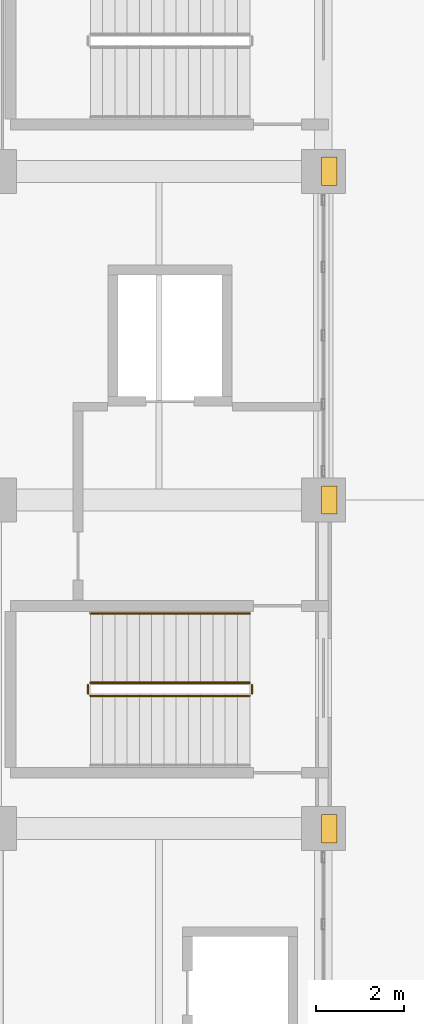
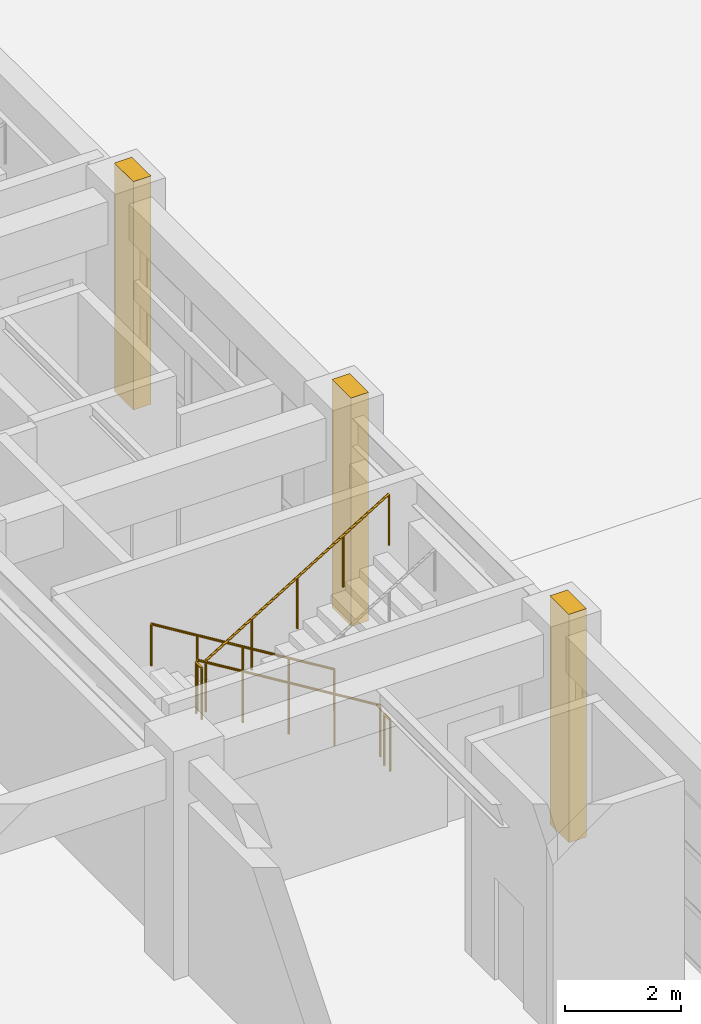
# One storey, part 111 of 122: 5 railings, 3 coverings.
"""IFC4 building model written with IfcOpenShell, lengths in metres."""

from ifc_helpers import new_model, si_unit, direction, frame, origin, origin_2d, place, context, subcontext, project, spatial, rectangle, circle, extrude, material, layer, layer_set, type_object, element, save


model = new_model("IFC4")

# Units and contexts
model_context = context("Model", 3, precision=1e-05, world=origin(), true_north=direction((0.0, 1.0)))
body_context = subcontext(model_context, "Body", "Model", "MODEL_VIEW")
ifc_project = project(units=[si_unit("LENGTHUNIT", "METRE"), si_unit("AREAUNIT", "SQUARE_METRE"), si_unit("VOLUMEUNIT", "CUBIC_METRE"), si_unit("PLANEANGLEUNIT", "RADIAN"), si_unit("MASSUNIT", "GRAM", prefix="KILO")], contexts=[model_context])

# Site, building, storey
site_placement = place(None, origin())
site = spatial("IfcSite", under=ifc_project, at=site_placement, CompositionType="ELEMENT")
building_placement = place(site_placement, origin())
building = spatial("IfcBuilding", under=site, at=building_placement, Name="Qasida Concert Hall", CompositionType="ELEMENT")
storey_placement = place(building_placement, origin())
storey = spatial("IfcBuildingStorey", under=building, at=storey_placement, Name="L00", CompositionType="ELEMENT", Elevation=0.0)

# Coverings
ifc_material_1 = material(Name="Projecting fluted Lebanese limestone Art Deco pilaster", Category="masonry")
ifc_layer_1 = layer(ifc_material_1, 0.35009765625, Name="Projecting fluted Lebanese limestone Art Deco pilaster")
ifc_layer_set_1 = layer_set([ifc_layer_1], Name="Projecting fluted Lebanese limestone Art Deco pilaster")
covering_type = type_object("IfcCoveringType", Name="CV-PIL-650", PredefinedType="CLADDING", material=ifc_layer_set_1)
for number, where, z_axis, x_axis, name in (
    (1, (105.135009765625, 45.0, 0.0), (0.0, 0.0, 1.0), (1.0, 0.0, 0.0), "L00 fluted limestone pilaster 0036"),
    (2, (105.135009765625, 52.5, 0.0), (0.0, 0.0, 1.0), (1.0, 0.0, 0.0), "L00 fluted limestone pilaster 0050"),
    (3, (105.135009765625, 60.0, 0.0), (0.0, 0.0, 1.0), (1.0, 0.0, 0.0), "L00 fluted limestone pilaster 0064"),
):
    element("IfcCovering", number, at=place(storey_placement, frame(where, z_axis=z_axis, x_axis=x_axis)), inside=storey, type_object=covering_type, Name=name, PredefinedType="CLADDING", context=body_context, shape_type="SweptSolid", body=[
        extrude(rectangle(XDim=0.35009765625, YDim=0.64990234375, at=origin_2d()), origin(), (0.0, 0.0, 1.0), 4.800048828125),
    ])

# Railings
ifc_material_2 = material(Name="Patinated architectural bronze and laminated glass infill", Category="glass")
ifc_layer_2 = layer(ifc_material_2, 0.080078125, Name="Patinated architectural bronze and laminated glass infill")
ifc_layer_set_2 = layer_set([ifc_layer_2], Name="Patinated architectural bronze and laminated glass infill")
railing_type_1 = type_object("IfcRailingType", Name="RL-GRD-1100", PredefinedType="GUARDRAIL", material=ifc_layer_set_2)
railing_1_placement = place(storey_placement, frame((103.320068359375, 48.330078125, 0.17138671875)))
element("IfcRailing", 4, at=railing_1_placement, inside=storey, type_object=railing_type_1, Name="L00 ST-02 stair guard 1", PredefinedType="GUARDRAIL", context=body_context, shape_type="SweptSolid", body=[
    extrude(circle(Radius=0.02392578125, at=origin_2d()), frame((0.0, 0.0, 1.076171875), z_axis=(-0.852865859571, 0.0, 0.52213008492), x_axis=(0.0, -1.0, 0.0)), (0.0, 0.0, 1.0), 4.26806640625),
    extrude(circle(Radius=0.02099609375, at=origin_2d()), origin(), (0.0, 0.0, 1.0), 1.052001953125),
    extrude(circle(Radius=0.02099609375, at=origin_2d()), frame((-0.91015625, 0.0, 0.55712890625)), (0.0, 0.0, 1.0), 1.052001953125),
    extrude(circle(Radius=0.02099609375, at=origin_2d()), frame((-1.820068359375, 0.0, 1.1142578125)), (0.0, 0.0, 1.0), 1.052001953125),
    extrude(circle(Radius=0.02099609375, at=origin_2d()), frame((-2.72998046875, 0.0, 1.67138671875)), (0.0, 0.0, 1.0), 1.052001953125),
    extrude(circle(Radius=0.02099609375, at=origin_2d()), frame((-3.64013671875, 0.0, 2.228515625)), (0.0, 0.0, 1.0), 1.052001953125),
])
railing_2_placement = place(storey_placement, frame((99.6298828125, 48.280029296875, 2.39990234375)))
element("IfcRailing", 5, at=railing_2_placement, inside=storey, type_object=railing_type_1, Name="L00 ST-02 stair guard 2", PredefinedType="GUARDRAIL", context=body_context, shape_type="SweptSolid", body=[
    extrude(circle(Radius=0.02392578125, at=origin_2d()), frame((0.0, 0.0, 1.076171875), z_axis=(0.0, -1.0, 0.0), x_axis=(1.0, 0.0, 0.0)), (0.0, 0.0, 1.0), 0.199951171875),
    extrude(circle(Radius=0.02099609375, at=origin_2d()), origin(), (0.0, 0.0, 1.0), 1.052001953125),
    extrude(circle(Radius=0.02099609375, at=origin_2d()), frame((0.0, -0.199951171875, 0.0)), (0.0, 0.0, 1.0), 1.052001953125),
])
railing_3_placement = place(storey_placement, frame((99.679931640625, 48.030029296875, 2.571533203125)))
element("IfcRailing", 6, at=railing_3_placement, inside=storey, type_object=railing_type_1, Name="L00 ST-02 stair guard 3", PredefinedType="GUARDRAIL", context=body_context, shape_type="SweptSolid", body=[
    extrude(circle(Radius=0.02392578125, at=origin_2d()), frame((0.0, 0.0, 1.076171875), z_axis=(0.852865859571, 0.0, 0.52213008492), x_axis=(0.0, 1.0, 0.0)), (0.0, 0.0, 1.0), 4.26806640625),
    extrude(circle(Radius=0.02099609375, at=origin_2d()), origin(), (0.0, 0.0, 1.0), 1.052001953125),
    extrude(circle(Radius=0.02099609375, at=origin_2d()), frame((0.91015625, 0.0, 0.55712890625)), (0.0, 0.0, 1.0), 1.052001953125),
    extrude(circle(Radius=0.02099609375, at=origin_2d()), frame((1.820068359375, 0.0, 1.1142578125)), (0.0, 0.0, 1.0), 1.052001953125),
    extrude(circle(Radius=0.02099609375, at=origin_2d()), frame((2.72998046875, 0.0, 1.67138671875)), (0.0, 0.0, 1.0), 1.052001953125),
    extrude(circle(Radius=0.02099609375, at=origin_2d()), frame((3.64013671875, 0.0, 2.228515625)), (0.0, 0.0, 1.0), 1.052001953125),
])
railing_4_placement = place(storey_placement, frame((103.3701171875, 48.280029296875, 0.0)))
element("IfcRailing", 7, at=railing_4_placement, inside=storey, type_object=railing_type_1, Name="L00 ST-02 stair guard 4", PredefinedType="GUARDRAIL", context=body_context, shape_type="SweptSolid", body=[
    extrude(circle(Radius=0.02392578125, at=origin_2d()), frame((0.0, 0.0, 1.076171875), z_axis=(0.0, -1.0, 0.0), x_axis=(1.0, 0.0, 0.0)), (0.0, 0.0, 1.0), 0.199951171875),
    extrude(circle(Radius=0.02099609375, at=origin_2d()), origin(), (0.0, 0.0, 1.0), 1.052001953125),
    extrude(circle(Radius=0.02099609375, at=origin_2d()), frame((0.0, -0.199951171875, 0.0)), (0.0, 0.0, 1.0), 1.052001953125),
])
ifc_material_3 = material(Name="Patinated tubular architectural bronze", Category="steel")
ifc_layer_3 = layer(ifc_material_3, 0.050048828125, Name="Patinated tubular architectural bronze")
ifc_layer_set_3 = layer_set([ifc_layer_3], Name="Patinated tubular architectural bronze")
railing_type_2 = type_object("IfcRailingType", Name="RL-HND-900", PredefinedType="HANDRAIL", material=ifc_layer_set_3)
railing_5_placement = place(storey_placement, frame((103.320068359375, 49.909912109375, 0.17138671875)))
element("IfcRailing", 8, at=railing_5_placement, inside=storey, type_object=railing_type_2, Name="L00 ST-02 stair handrail 1", PredefinedType="HANDRAIL", context=body_context, shape_type="SweptSolid", body=[
    extrude(circle(Radius=0.02392578125, at=origin_2d()), frame((0.0, 0.0, 0.8759765625), z_axis=(-0.852865859571, 0.0, 0.52213008492), x_axis=(0.0, -1.0, 0.0)), (0.0, 0.0, 1.0), 4.26806640625),
    extrude(circle(Radius=0.02099609375, at=origin_2d()), origin(), (0.0, 0.0, 1.0), 0.851806640625),
    extrude(circle(Radius=0.02099609375, at=origin_2d()), frame((-0.91015625, 0.0, 0.55712890625)), (0.0, 0.0, 1.0), 0.851806640625),
    extrude(circle(Radius=0.02099609375, at=origin_2d()), frame((-1.820068359375, 0.0, 1.1142578125)), (0.0, 0.0, 1.0), 0.851806640625),
    extrude(circle(Radius=0.02099609375, at=origin_2d()), frame((-2.72998046875, 0.0, 1.67138671875)), (0.0, 0.0, 1.0), 0.851806640625),
    extrude(circle(Radius=0.02099609375, at=origin_2d()), frame((-3.64013671875, 0.0, 2.228515625)), (0.0, 0.0, 1.0), 0.851806640625),
])

save(model, "model.ifc")
